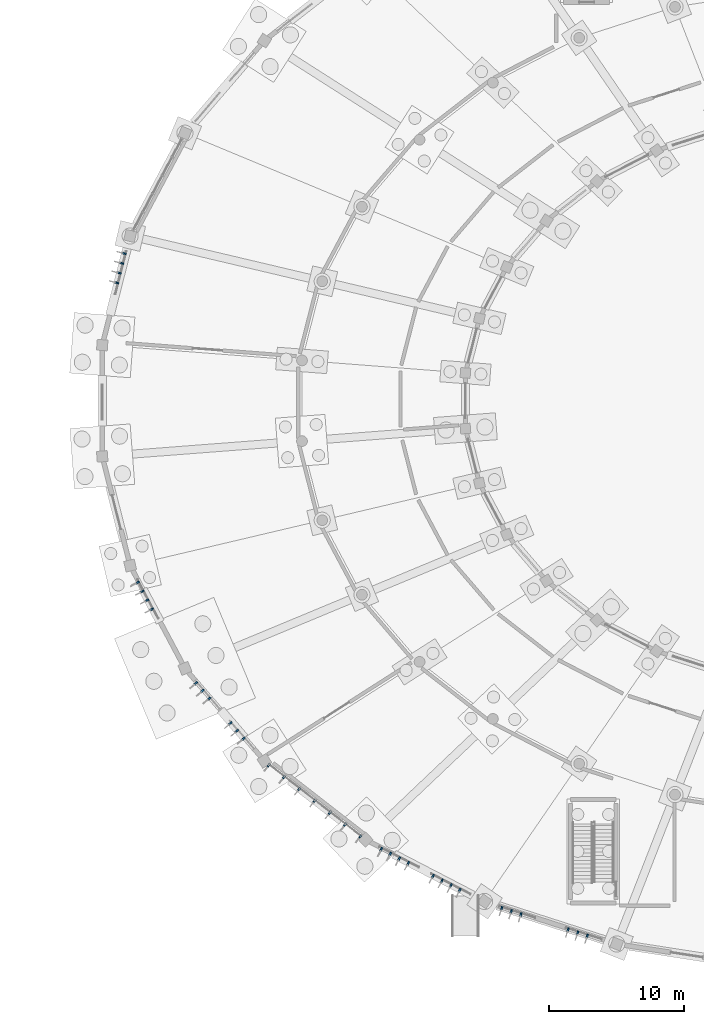
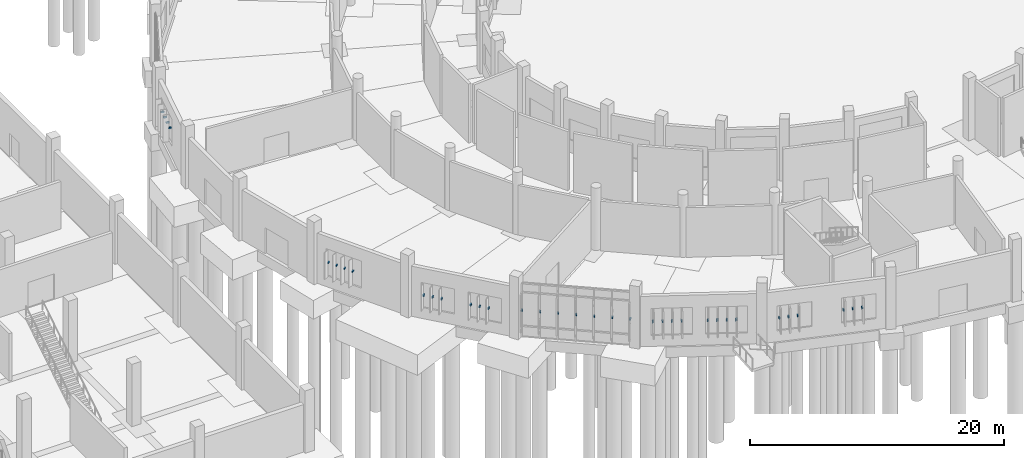
# One storey, part 99 of 140: 35 discrete accessories.
"""IFC4 building model written with IfcOpenShell, lengths in metres."""

from ifc_helpers import new_model, si_unit, direction, frame, origin, origin_2d, place, context, subcontext, project, spatial, rectangle, extrude, material, type_object, element, save


model = new_model("IFC4")

# Units and contexts
model_context = context("Model", 3, precision=1e-05, world=origin(), true_north=direction((0.0, 1.0)))
body_context = subcontext(model_context, "Body", "Model", "MODEL_VIEW")
ifc_project = project(units=[si_unit("LENGTHUNIT", "METRE"), si_unit("AREAUNIT", "SQUARE_METRE"), si_unit("VOLUMEUNIT", "CUBIC_METRE"), si_unit("PLANEANGLEUNIT", "RADIAN"), si_unit("MASSUNIT", "GRAM", prefix="KILO")], contexts=[model_context])

# Site, building, storey
site_placement = place(None, origin())
site = spatial("IfcSite", under=ifc_project, at=site_placement, CompositionType="ELEMENT")
building_placement = place(site_placement, origin())
building = spatial("IfcBuilding", under=site, at=building_placement, Name="Corvandel Quay Wholesale Market", CompositionType="ELEMENT")
storey_placement = place(building_placement, origin())
storey = spatial("IfcBuildingStorey", under=building, at=storey_placement, Name="L00", CompositionType="ELEMENT", Elevation=0.0)

# Discrete accessories
ifc_material = material(Name="Austenitic stainless steel Grade 316", Category="steel")
discrete_accessory_type = type_object("IfcDiscreteAccessoryType", Name="Stainless Solar Fin Fixing Bracket BRK01", PredefinedType="USERDEFINED", material=ifc_material)
for number, where, z_axis, x_axis, name in (
    (1, (61.638671875, 52.948486328125, 2.2802734375), (0.0, 0.0, 1.0), (-0.968843057437, 0.247675453076, 0.0), "Fin Bracket 0028"),
    (2, (61.452880859375, 52.221923828125, 2.2802734375), (0.0, 0.0, 1.0), (-0.968843057437, 0.247675453076, 0.0), "Fin Bracket 0029"),
    (3, (61.26708984375, 51.4951171875, 2.2802734375), (0.0, 0.0, 1.0), (-0.968843057437, 0.247675453076, 0.0), "Fin Bracket 0030"),
    (4, (61.081298828125, 50.7685546875, 2.2802734375), (0.0, 0.0, 1.0), (-0.968843057437, 0.247675453076, 0.0), "Fin Bracket 0031"),
    (5, (62.630859375, 28.492919921875, 2.2802734375), (0.0, 0.0, 1.0), (0.882619624736, 0.470087862033, 0.0), "Fin Bracket 0048"),
    (6, (62.9833984375, 27.830810546875, 2.2802734375), (0.0, 0.0, 1.0), (0.882619624736, 0.470087862033, 0.0), "Fin Bracket 0049"),
    (7, (63.3359375, 27.1689453125, 2.2802734375), (0.0, 0.0, 1.0), (0.882619624736, 0.470087862033, 0.0), "Fin Bracket 0050"),
    (8, (63.6884765625, 26.507080078125, 2.2802734375), (0.0, 0.0, 1.0), (0.882619624736, 0.470087862033, 0.0), "Fin Bracket 0051"),
    (9, (66.962890625, 21.001708984375, 2.18017578125), (0.0, 0.0, 1.0), (0.758589401976, 0.651568967347, 0.0), "Fin Bracket 0060"),
    (10, (67.451416015625, 20.4326171875, 2.18017578125), (0.0, 0.0, 1.0), (0.758589401976, 0.651568967347, 0.0), "Fin Bracket 0061"),
    (11, (67.940185546875, 19.86376953125, 2.18017578125), (0.0, 0.0, 1.0), (0.758589401976, 0.651568967347, 0.0), "Fin Bracket 0062"),
    (12, (69.52294921875, 18.021240234375, 2.18017578125), (0.0, 0.0, 1.0), (0.758589401976, 0.651568967347, 0.0), "Fin Bracket 0063"),
    (13, (70.01171875, 17.452392578125, 2.18017578125), (0.0, 0.0, 1.0), (0.758589401976, 0.651568967347, 0.0), "Fin Bracket 0064"),
    (14, (70.50048828125, 16.88330078125, 2.18017578125), (0.0, 0.0, 1.0), (0.758589401976, 0.651568967347, 0.0), "Fin Bracket 0065"),
):
    element("IfcDiscreteAccessory", number, at=place(storey_placement, frame(where, z_axis=z_axis, x_axis=x_axis)), inside=storey, type_object=discrete_accessory_type, Name=name, ObjectType="BRACKET", PredefinedType="USERDEFINED", context=body_context, shape_type="SweptSolid", body=[
        extrude(rectangle(XDim=0.280029296875, YDim=0.1201171875, at=origin_2d()), origin(), (0.0, 0.0, 1.0), 0.139892578125),
    ])
for number, where, z_axis, x_axis, name in (
    (15, (72.373291015625, 14.9033203125, 2.5048828125), (0.0, 0.0, 1.0), (0.614009720373, 0.789298462742, 0.0), "Fin Bracket 0080"),
    (16, (73.508544921875, 14.020263671875, 2.5048828125), (0.0, 0.0, 1.0), (0.614009720373, 0.789298462742, 0.0), "Fin Bracket 0081"),
    (17, (74.643798828125, 13.13720703125, 2.5048828125), (0.0, 0.0, 1.0), (0.614009720373, 0.789298462742, 0.0), "Fin Bracket 0082"),
    (18, (75.779296875, 12.254150390625, 2.5048828125), (0.0, 0.0, 1.0), (0.614009720373, 0.789298462742, 0.0), "Fin Bracket 0083"),
    (19, (76.914306640625, 11.37109375, 2.5048828125), (0.0, 0.0, 1.0), (0.614009720373, 0.789298462742, 0.0), "Fin Bracket 0084"),
    (20, (78.0498046875, 10.488037109375, 2.5048828125), (0.0, 0.0, 1.0), (0.614009720373, 0.789298462742, 0.0), "Fin Bracket 0085"),
    (21, (79.18505859375, 9.60498046875, 2.5048828125), (0.0, 0.0, 1.0), (0.614009720373, 0.789298462742, 0.0), "Fin Bracket 0086"),
):
    element("IfcDiscreteAccessory", number, at=place(storey_placement, frame(where, z_axis=z_axis, x_axis=x_axis)), inside=storey, type_object=discrete_accessory_type, Name=name, ObjectType="BRACKET", PredefinedType="USERDEFINED", context=body_context, shape_type="SweptSolid", body=[
        extrude(rectangle(XDim=0.239990234375, YDim=0.1201171875, at=origin_2d()), origin(), (0.0, 0.0, 1.0), 0.139892578125),
    ])
for number, where, z_axis, x_axis, name in (
    (22, (80.74658203125, 8.655517578125, 2.2802734375), (0.0, 0.0, 1.0), (0.461129250378, 0.887332978338, 0.0), "Fin Bracket 0095"),
    (23, (81.412109375, 8.309814453125, 2.2802734375), (0.0, 0.0, 1.0), (0.461129250378, 0.887332978338, 0.0), "Fin Bracket 0096"),
    (24, (82.07763671875, 7.9638671875, 2.2802734375), (0.0, 0.0, 1.0), (0.461129250378, 0.887332978338, 0.0), "Fin Bracket 0097"),
    (25, (82.7431640625, 7.617919921875, 2.2802734375), (0.0, 0.0, 1.0), (0.461129250378, 0.887332978338, 0.0), "Fin Bracket 0098"),
    (26, (84.5859375, 6.66015625, 2.2802734375), (0.0, 0.0, 1.0), (0.461129250378, 0.887332978338, 0.0), "Fin Bracket 0099"),
    (27, (85.25146484375, 6.314453125, 2.2802734375), (0.0, 0.0, 1.0), (0.461129250378, 0.887332978338, 0.0), "Fin Bracket 0100"),
    (28, (85.9169921875, 5.968505859375, 2.2802734375), (0.0, 0.0, 1.0), (0.461129250378, 0.887332978338, 0.0), "Fin Bracket 0101"),
    (29, (86.58251953125, 5.622802734375, 2.2802734375), (0.0, 0.0, 1.0), (0.461129250378, 0.887332978338, 0.0), "Fin Bracket 0102"),
    (30, (89.6943359375, 4.2646484375, 2.18017578125), (0.0, 0.0, 1.0), (0.306692204733, 0.951808747363, 0.0), "Fin Bracket 0112"),
    (31, (90.408203125, 4.034912109375, 2.18017578125), (0.0, 0.0, 1.0), (0.306692204733, 0.951808747363, 0.0), "Fin Bracket 0113"),
    (32, (91.1220703125, 3.8046875, 2.18017578125), (0.0, 0.0, 1.0), (0.306692204733, 0.951808747363, 0.0), "Fin Bracket 0114"),
    (33, (94.629638671875, 2.6748046875, 2.18017578125), (0.0, 0.0, 1.0), (0.306692204733, 0.951808747363, 0.0), "Fin Bracket 0115"),
    (34, (95.343505859375, 2.44482421875, 2.18017578125), (0.0, 0.0, 1.0), (0.306692204733, 0.951808747363, 0.0), "Fin Bracket 0116"),
    (35, (96.057373046875, 2.215087890625, 2.18017578125), (0.0, 0.0, 1.0), (0.306692204733, 0.951808747363, 0.0), "Fin Bracket 0117"),
):
    element("IfcDiscreteAccessory", number, at=place(storey_placement, frame(where, z_axis=z_axis, x_axis=x_axis)), inside=storey, type_object=discrete_accessory_type, Name=name, ObjectType="BRACKET", PredefinedType="USERDEFINED", context=body_context, shape_type="SweptSolid", body=[
        extrude(rectangle(XDim=0.280029296875, YDim=0.1201171875, at=origin_2d()), origin(), (0.0, 0.0, 1.0), 0.139892578125),
    ])

save(model, "model.ifc")
